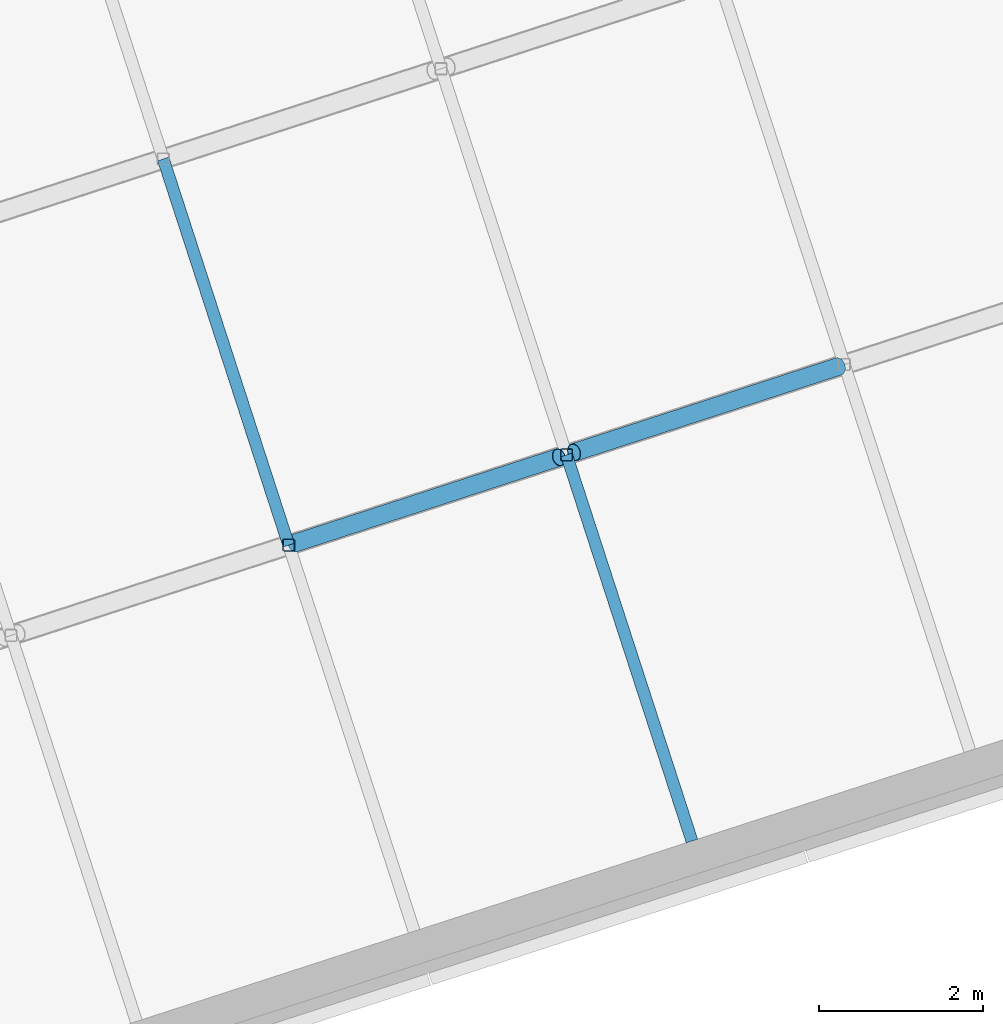
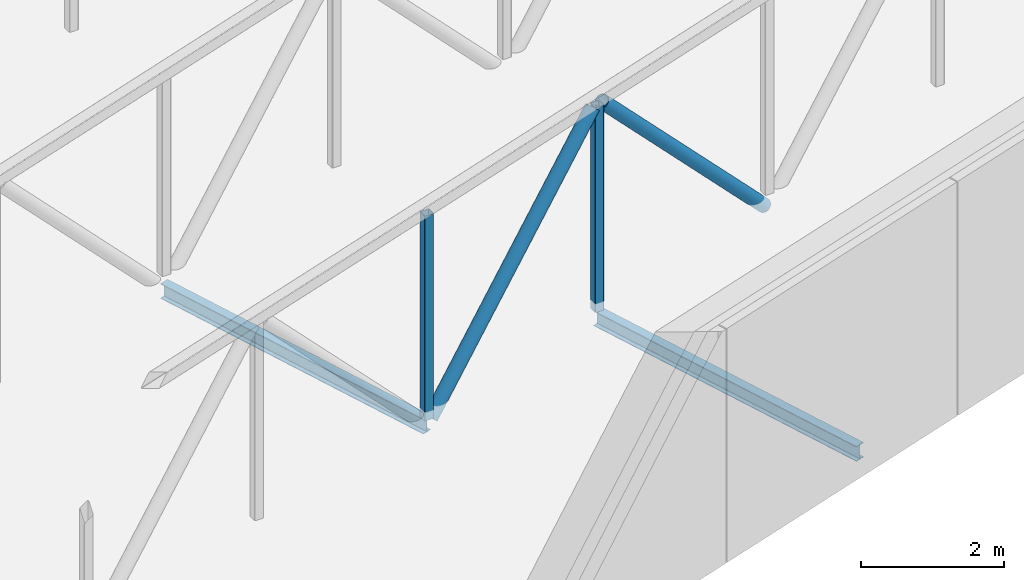
# One storey, part 5 of 52: 4 members, 2 beams.
"""IFC4 building model written with IfcOpenShell, lengths in metres."""

import ifcopenshell
import ifcopenshell.guid

model = None  # the IFC model being written
_history = None  # IfcOwnerHistory: only IFC2X3 demands one
_inside = {}  # id of a spatial element -> (the spatial element, [elements in it])
_under = {}  # id of a project, library or spatial element -> (it, [spatial elements below it])
_declared = {}  # id of a project -> (the project, [libraries it declares])
_typed = {}  # id of a type object -> (the type object, [elements of that type])
_made_of = {}  # id of a material, layer set ... -> (it, [elements and type objects made of it])


def new_model(schema):
    """Start an empty IFC model of exactly this schema.

    Asked for "IFC4X3", IfcOpenShell would pick the latest addendum, in which some entities
    have other attributes; the version numbers below select the first issue.
    IFC2X3 requires an IfcOwnerHistory on every rooted entity: one is made here for all.
    """
    global model, _history
    if schema == "IFC4X3":
        model = ifcopenshell.file(schema_version=(4, 3, 0, 0))
    else:
        model = ifcopenshell.file(schema=schema)
    _inside.clear()
    _under.clear()
    _declared.clear()
    _typed.clear()
    _made_of.clear()
    _history = None
    if model.schema == "IFC2X3":
        org = make("IfcOrganization", Name="unknown")
        user = make(
            "IfcPersonAndOrganization",
            ThePerson=make("IfcPerson", FamilyName="unknown"),
            TheOrganization=org,
        )
        app = make(
            "IfcApplication",
            ApplicationDeveloper=org,
            Version="unknown",
            ApplicationFullName="unknown",
            ApplicationIdentifier="unknown",
        )
        _history = make(
            "IfcOwnerHistory",
            OwningUser=user,
            OwningApplication=app,
            ChangeAction="ADDED",
            CreationDate=0,
        )
    return model


def make(cls, **values):
    """One entity of the class cls with the attributes given. An attribute that is None is left unset."""
    return model.create_entity(
        cls, **{name: value for name, value in values.items() if value is not None}
    )


def rooted(cls, **values):
    """An entity with a GlobalId (a new one), such as an element, a storey or a relation."""
    return make(cls, GlobalId=ifcopenshell.guid.new(), OwnerHistory=_history, **values)


def si_unit(unit_type, name, prefix=None):
    """IfcSIUnit, for example si_unit("LENGTHUNIT", "METRE", prefix="MILLI")."""
    return make("IfcSIUnit", UnitType=unit_type, Prefix=prefix, Name=name)


def assignment(units):
    """IfcUnitAssignment: the units of a project."""
    return None if units is None else make("IfcUnitAssignment", Units=units)


def point(xyz):
    """IfcCartesianPoint."""
    return None if xyz is None else make("IfcCartesianPoint", Coordinates=xyz)


def direction(xyz):
    """IfcDirection."""
    return None if xyz is None else make("IfcDirection", DirectionRatios=xyz)


def frame(location, z_axis=None, x_axis=None):
    """IfcAxis2Placement3D, a coordinate frame: its origin and axes. An axis left out is left unset."""
    return make(
        "IfcAxis2Placement3D",
        Location=point(location),
        Axis=direction(z_axis),
        RefDirection=direction(x_axis),
    )


def frame_2d(location, x_axis=None):
    """IfcAxis2Placement2D, a coordinate frame in the plane: its origin and x axis."""
    return make(
        "IfcAxis2Placement2D", Location=point(location), RefDirection=direction(x_axis)
    )


def origin():
    """The frame at (0, 0, 0) with its axes left unset."""
    return frame((0.0, 0.0, 0.0))


def origin_2d():
    """The frame at (0, 0) in the plane with its x axis left unset."""
    return frame_2d((0.0, 0.0))


def place(relative_to, where):
    """IfcLocalPlacement: puts the frame where relative to a parent placement (None: the world)."""
    return make(
        "IfcLocalPlacement", PlacementRelTo=relative_to, RelativePlacement=where
    )


def context(
    kind, dimensions, precision=None, world=None, true_north=None, identifier=None
):
    """IfcGeometricRepresentationContext, for example the 3D "Model" context."""
    return make(
        "IfcGeometricRepresentationContext",
        ContextIdentifier=identifier,
        ContextType=kind,
        CoordinateSpaceDimension=dimensions,
        Precision=precision,
        WorldCoordinateSystem=world,
        TrueNorth=true_north,
    )


def subcontext(parent, identifier, kind, view, scale=None):
    """IfcGeometricRepresentationSubContext, for example "Body" below "Model"."""
    return make(
        "IfcGeometricRepresentationSubContext",
        ContextIdentifier=identifier,
        ContextType=kind,
        ParentContext=parent,
        TargetScale=scale,
        TargetView=view,
    )


def project(units=None, contexts=None):
    """IfcProject with its units and contexts."""
    return rooted(
        "IfcProject",
        Name="project",
        RepresentationContexts=contexts,
        UnitsInContext=assignment(units),
    )


def spatial(cls, under=None, at=None, **own):
    """A site, building, storey or space (cls), placed at a placement, below another one or the project."""
    s = rooted(cls, ObjectPlacement=at, **own)
    if under is not None:
        _under.setdefault(under.id(), (under, []))[1].append(s)
    return s


def profile(cls, at=None, kind="AREA", **sizes):
    """A parametric profile (cls). Its sizes go by their IFC names, for example OverallWidth=200.0."""
    return make(cls, ProfileType=kind, Position=at, **sizes)


def hollow_rectangle(**sizes):
    """IfcRectangleHollowProfileDef."""
    return profile("IfcRectangleHollowProfileDef", **sizes)


def hollow_circle(**sizes):
    """IfcCircleHollowProfileDef."""
    return profile("IfcCircleHollowProfileDef", **sizes)


def i_section(**sizes):
    """IfcIShapeProfileDef."""
    return profile("IfcIShapeProfileDef", **sizes)


def extrude(swept, where, along, depth):
    """IfcExtrudedAreaSolid: the profile swept, set in the frame where, extruded along a direction by depth."""
    return make(
        "IfcExtrudedAreaSolid",
        SweptArea=swept,
        Position=where,
        ExtrudedDirection=direction(along),
        Depth=depth,
    )


def shape(context_of_items, identifier, shape_type, items):
    """IfcShapeRepresentation: the items that make up one representation, for example the "Body"."""
    return make(
        "IfcShapeRepresentation",
        ContextOfItems=context_of_items,
        RepresentationIdentifier=identifier,
        RepresentationType=shape_type,
        Items=items,
    )


def material(Name=None, Category=None):
    """IfcMaterial."""
    return make("IfcMaterial", Name=Name, Category=Category)


def material_profile(
    of_material, cross_section, Name=None, Category=None, Priority=None
):
    """IfcMaterialProfile: a cross section and its material."""
    return make(
        "IfcMaterialProfile",
        Name=Name,
        Material=of_material,
        Profile=cross_section,
        Priority=Priority,
        Category=Category,
    )


def profile_set(profiles, Name=None, composite=None):
    """IfcMaterialProfileSet."""
    return make(
        "IfcMaterialProfileSet",
        Name=Name,
        MaterialProfiles=profiles,
        CompositeProfile=composite,
    )


def made_of(thing, what):
    """Note that an element or type object is made of a material, layer set ...; save() writes the relation."""
    if what is not None:
        _made_of.setdefault(what.id(), (what, []))[1].append(thing)
    return thing


def type_object(cls, material=None, **own):
    """A type object (cls), such as IfcWallType, which elements share."""
    return made_of(rooted(cls, **own), material)


def element(
    cls,
    number,
    at=None,
    inside=None,
    cuts=None,
    type_object=None,
    material=None,
    context=None,
    identifier="Body",
    shape_type=None,
    held_by="IfcProductDefinitionShape",
    body=None,
    shapes=None,
    **own,
):
    """One element of the class cls, such as IfcWall. Its Tag is "e" and its number.

    at: its placement. inside: the storey or other place that contains it. cuts: it is an
    opening in that element (IfcRelVoidsElement). A single representation is given by context,
    identifier, shape_type and body (its items); several are given by shapes. held_by: the class
    of the entity that holds the representations. save() writes the other relations.
    """
    e = rooted(cls, Tag="e%d" % number, ObjectPlacement=at, **own)
    if body is not None:
        shapes = [shape(context, identifier, shape_type, body)]
    if shapes is not None:
        e.Representation = make(held_by, Representations=shapes)
    if inside is not None:
        _inside.setdefault(inside.id(), (inside, []))[1].append(e)
    if cuts is not None:
        rooted(
            "IfcRelVoidsElement", RelatingBuildingElement=cuts, RelatedOpeningElement=e
        )
    if type_object is not None:
        _typed.setdefault(type_object.id(), (type_object, []))[1].append(e)
    return made_of(e, material)


def aggregate(whole, parts):
    """IfcRelAggregates: a whole, such as a stair, and the parts it consists of."""
    return rooted("IfcRelAggregates", RelatingObject=whole, RelatedObjects=parts)


def save(model, path):
    """Write the relations noted so far, then the file.

    IfcRelAggregates (storeys below a building ...), IfcRelContainedInSpatialStructure (elements
    in a storey), IfcRelDefinesByType, IfcRelAssociatesMaterial and IfcRelDeclares: one each for
    every whole, place, type object, material and project.
    """
    for whole, parts in _under.values():
        aggregate(whole, parts)
    for where, things in _inside.values():
        rooted(
            "IfcRelContainedInSpatialStructure",
            RelatedElements=things,
            RelatingStructure=where,
        )
    for kind, things in _typed.values():
        rooted("IfcRelDefinesByType", RelatedObjects=things, RelatingType=kind)
    for what, things in _made_of.values():
        rooted("IfcRelAssociatesMaterial", RelatedObjects=things, RelatingMaterial=what)
    for by, libraries in _declared.values():
        rooted("IfcRelDeclares", RelatingContext=by, RelatedDefinitions=libraries)
    model.write(path)


model = new_model("IFC4")

# Units and contexts
model_context = context("Model", 3, precision=1e-05, world=origin(), true_north=direction((0.0, 1.0)))
body_context = subcontext(model_context, "Body", "Model", "MODEL_VIEW")
ifc_project = project(units=[si_unit("LENGTHUNIT", "METRE"), si_unit("AREAUNIT", "SQUARE_METRE"), si_unit("VOLUMEUNIT", "CUBIC_METRE"), si_unit("PLANEANGLEUNIT", "RADIAN"), si_unit("MASSUNIT", "GRAM", prefix="KILO")], contexts=[model_context])

# Site, building, storey
site_placement = place(None, origin())
site = spatial("IfcSite", under=ifc_project, at=site_placement, CompositionType="ELEMENT")
building_placement = place(site_placement, origin())
building = spatial("IfcBuilding", under=site, at=building_placement, Name="Tuart Plaza Theatre", CompositionType="ELEMENT")
storey_placement = place(building_placement, frame((0.0, 0.0, 25.5)))
storey = spatial("IfcBuildingStorey", under=building, at=storey_placement, Name="L06", CompositionType="ELEMENT", Elevation=25.5)

# Beams
ifc_material_1 = material(Name="Steel Grade 300", Category="steel")
ifc_material_profile_1 = material_profile(ifc_material_1, i_section(OverallWidth=0.14599609375, OverallDepth=0.256103515625, WebThickness=0.00634765625, FlangeThickness=0.010986328125, FilletRadius=0.0087890625, at=origin_2d()), Name="250UB37.3")
ifc_profile_set_1 = profile_set([ifc_material_profile_1], Name="Steel Grade 300")
beam_type = type_object("IfcBeamType", Name="BEAM 250UB37.3", PredefinedType="BEAM", material=ifc_profile_set_1)
for number, where, z_axis, x_axis, name in (
    (1, (53.54638671875, 78.00830078125, -0.278076171875), (-0.308997967382, 0.951062698329, 0.0), (-0.951062698329, -0.308997967382, 0.0), "SB72"),
    (2, (58.462890625, 74.40087890625, -0.278076171875), (-0.308997967382, 0.951062698329, 0.0), (-0.951062698329, -0.308997967382, 0.0), "SB75"),
):
    element("IfcBeam", number, at=place(storey_placement, frame(where, z_axis=z_axis, x_axis=x_axis)), inside=storey, type_object=beam_type, Name=name, PredefinedType="BEAM", context=body_context, shape_type="SweptSolid", body=[
        extrude(i_section(OverallWidth=0.14599609375, OverallDepth=0.256103515625, WebThickness=0.00634765625, FlangeThickness=0.010986328125, FilletRadius=0.0087890625, at=origin_2d()), origin(), (0.0, 0.0, 1.0), 4.949951171875),
    ])

# Members
ifc_material_2 = material(Name="Steel Grade C350L0", Category="steel")
ifc_material_profile_2 = material_profile(ifc_material_2, hollow_circle(Radius=0.109619140625, WallThickness=0.00830078125, at=origin_2d()), Name="219.1x8.2 CHS")
ifc_profile_set_2 = profile_set([ifc_material_profile_2], Name="Steel Grade C350L0")
member_type_1 = type_object("IfcMemberType", Name="MEMBER Brace 219.1x8.2 CHS", PredefinedType="BRACE", material=ifc_profile_set_2)
for number, where, z_axis, x_axis, name in (
    (3, (53.61572265625, 78.03076171875, -0.199951171875), (0.657387259608, 0.213591169246, 0.722648464556), (-0.309007965901, 0.951059449777, 0.0), "BR35"),
    (4, (57.024169921875, 79.13818359375, 3.346923828125), (0.657387259608, 0.213591169246, -0.722648464556), (-0.309007965901, 0.951059449777, 0.0), "BR36"),
):
    element("IfcMember", number, at=place(storey_placement, frame(where, z_axis=z_axis, x_axis=x_axis)), inside=storey, type_object=member_type_1, Name=name, PredefinedType="BRACE", context=body_context, shape_type="SweptSolid", body=[
        extrude(hollow_circle(Radius=0.109619140625, WallThickness=0.00830078125, at=origin_2d()), origin(), (0.0, 0.0, 1.0), 4.908203125),
    ])
ifc_material_3 = material(Name="Steel Grade C350L0", Category="steel")
ifc_material_profile_3 = material_profile(ifc_material_3, hollow_rectangle(XDim=0.14990234375, YDim=0.14990234375, WallThickness=0.009033203125, InnerFilletRadius=0.009033203125, OuterFilletRadius=0.01806640625, at=origin_2d()), Name="150x150x9 SHS")
ifc_profile_set_3 = profile_set([ifc_material_profile_3], Name="Steel Grade C350L0")
member_type_2 = type_object("IfcMemberType", Name="MEMBER Post 150x150x9 SHS", PredefinedType="POST", material=ifc_profile_set_3)
for number, where, z_axis, x_axis, name in (
    (5, (53.54638671875, 78.00830078125, -0.14990234375), (0.0, 0.0, 1.0), (1.0, 0.0, 0.0), "PO40"),
    (6, (56.933349609375, 79.108642578125, -0.14990234375), (0.0, 0.0, 1.0), (1.0, 0.0, 0.0), "PO41"),
):
    element("IfcMember", number, at=place(storey_placement, frame(where, z_axis=z_axis, x_axis=x_axis)), inside=storey, type_object=member_type_2, Name=name, PredefinedType="POST", context=body_context, shape_type="SweptSolid", body=[
        extrude(hollow_rectangle(XDim=0.14990234375, YDim=0.14990234375, WallThickness=0.009033203125, InnerFilletRadius=0.009033203125, OuterFilletRadius=0.01806640625, at=origin_2d()), origin(), (0.0, 0.0, 1.0), 3.496826171875),
    ])

save(model, "model.ifc")
